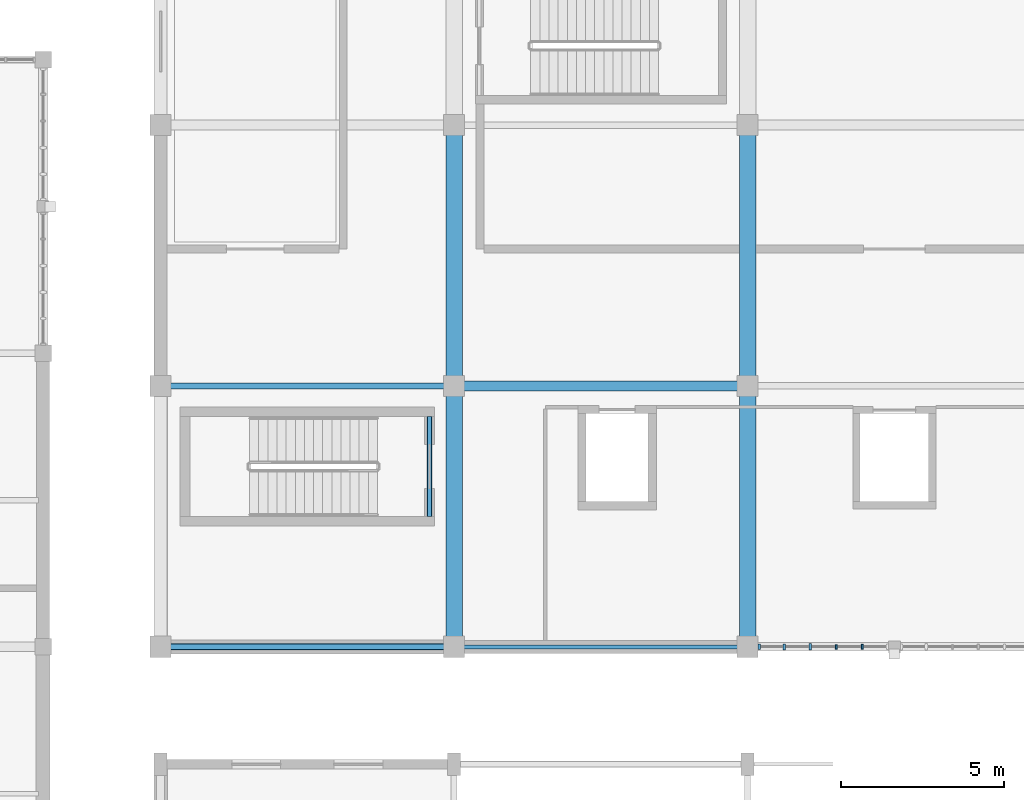
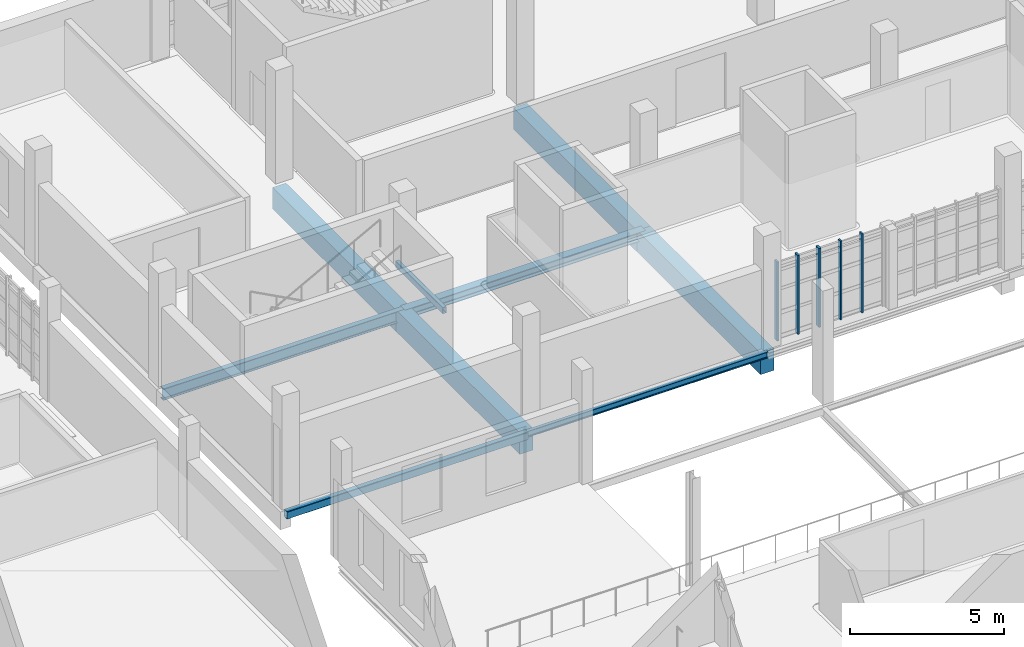
# One storey, part 19 of 125: 9 beams, 5 members, 1 element without a shape of its own.
"""IFC4 building model written with IfcOpenShell, lengths in metres."""

from ifc_helpers import new_model, si_unit, direction, frame, origin, origin_2d, place, context, subcontext, project, spatial, rectangle, hollow_rectangle, i_section, extrude, material, material_profile, profile_set, type_object, element, aggregate, save


model = new_model("IFC4")

# Units and contexts
model_context = context("Model", 3, precision=1e-05, world=origin(), true_north=direction((0.0, 1.0)))
body_context = subcontext(model_context, "Body", "Model", "MODEL_VIEW")
ifc_project = project(units=[si_unit("LENGTHUNIT", "METRE"), si_unit("AREAUNIT", "SQUARE_METRE"), si_unit("VOLUMEUNIT", "CUBIC_METRE"), si_unit("PLANEANGLEUNIT", "RADIAN"), si_unit("MASSUNIT", "GRAM", prefix="KILO")], contexts=[model_context])

# Site, building, storey
site_placement = place(None, origin())
site = spatial("IfcSite", under=ifc_project, at=site_placement, CompositionType="ELEMENT")
building_placement = place(site_placement, origin())
building = spatial("IfcBuilding", under=site, at=building_placement, Name="Serraforn Aerial Cableway Station", CompositionType="ELEMENT")
storey_placement = place(building_placement, frame((0.0, 0.0, 4.5)))
storey = spatial("IfcBuildingStorey", under=building, at=storey_placement, Name="L01", CompositionType="ELEMENT", Elevation=4.5)

# Beams
ifc_material_1 = material(Name="Concrete C35/45", Category="concrete")
ifc_material_profile_1 = material_profile(ifc_material_1, rectangle(XDim=0.5, YDim=0.85009765625, at=origin_2d()), Name="RC 500x850")
ifc_profile_set_1 = profile_set([ifc_material_profile_1], Name="Concrete C35/45")
beam_type_1 = type_object("IfcBeamType", Name="BM-RC-500x850", PredefinedType="USERDEFINED", material=ifc_profile_set_1)
for number, where, z_axis, x_axis, name in (
    (1, (36.60009765625, 18.0, -0.7451171875), (0.0, 1.0, 0.0), (-1.0, 0.0, 0.0), "Grid Girder Y CV L01 X2-1"),
    (2, (36.60009765625, 26.0, -0.7451171875), (0.0, 1.0, 0.0), (-1.0, 0.0, 0.0), "Grid Girder Y CV L01 X2-2"),
    (3, (45.60009765625, 18.0, -0.7451171875), (0.0, 1.0, 0.0), (-1.0, 0.0, 0.0), "Grid Girder Y CV L01 X3-1"),
    (4, (45.60009765625, 26.0, -0.7451171875), (0.0, 1.0, 0.0), (-1.0, 0.0, 0.0), "Grid Girder Y CV L01 X3-2"),
):
    element("IfcBeam", number, at=place(storey_placement, frame(where, z_axis=z_axis, x_axis=x_axis)), inside=storey, type_object=beam_type_1, Name=name, ObjectType="GIRDER", PredefinedType="USERDEFINED", context=body_context, shape_type="SweptSolid", body=[
        extrude(rectangle(XDim=0.5, YDim=0.85009765625, at=origin_2d()), origin(), (0.0, 0.0, 1.0), 8.0),
    ])
ifc_material_2 = material(Name="Steel S355J2", Category="steel")
ifc_material_profile_2 = material_profile(ifc_material_2, i_section(OverallWidth=0.300048828125, OverallDepth=0.360107421875, WebThickness=0.012451171875, FlangeThickness=0.0224609375, FilletRadius=0.027099609375, at=origin_2d()), Name="HEB 360")
ifc_profile_set_2 = profile_set([ifc_material_profile_2], Name="Steel S355J2")
beam_type_2 = type_object("IfcBeamType", Name="BM-ST-HEB360", PredefinedType="USERDEFINED", material=ifc_profile_set_2)
beam_1_placement = place(storey_placement, frame((36.60009765625, 26.0, -0.5), z_axis=(1.0, 0.0, 0.0), x_axis=(0.0, 1.0, 0.0)))
element("IfcBeam", 5, at=beam_1_placement, inside=storey, type_object=beam_type_2, Name="Grid Girder X CV L01 Y2-2", ObjectType="GIRDER", PredefinedType="USERDEFINED", context=body_context, shape_type="SweptSolid", body=[
    extrude(i_section(OverallWidth=0.300048828125, OverallDepth=0.360107421875, WebThickness=0.012451171875, FlangeThickness=0.0224609375, FilletRadius=0.027099609375, at=origin_2d()), origin(), (0.0, 0.0, 1.0), 9.0),
])
ifc_material_3 = material(Name="Steel S355JR", Category="steel")
ifc_material_profile_3 = material_profile(ifc_material_3, i_section(OverallWidth=0.1201171875, OverallDepth=0.239990234375, WebThickness=0.006103515625, FlangeThickness=0.009765625, FilletRadius=0.014892578125, at=origin_2d()), Name="IPE 240")
ifc_profile_set_3 = profile_set([ifc_material_profile_3], Name="Steel S355JR")
beam_type_3 = type_object("IfcBeamType", Name="BM-ST-IPE240", PredefinedType="SPANDREL", material=ifc_profile_set_3)
beam_2_placement = place(storey_placement, frame((36.60009765625, 18.0, -0.43994140625), z_axis=(1.0, 0.0, 0.0), x_axis=(0.0, 1.0, 0.0)))
element("IfcBeam", 6, at=beam_2_placement, inside=storey, type_object=beam_type_3, Name="Grid Girder X CV L01 Y1-2", PredefinedType="SPANDREL", context=body_context, shape_type="SweptSolid", body=[
    extrude(i_section(OverallWidth=0.1201171875, OverallDepth=0.239990234375, WebThickness=0.006103515625, FlangeThickness=0.009765625, FilletRadius=0.014892578125, at=origin_2d()), origin(), (0.0, 0.0, 1.0), 9.0),
])
ifc_material_profile_4 = material_profile(ifc_material_3, i_section(OverallWidth=0.18994140625, OverallDepth=0.449951171875, WebThickness=0.009521484375, FlangeThickness=0.0146484375, FilletRadius=0.02099609375, at=origin_2d()), Name="IPE 450")
ifc_profile_set_4 = profile_set([ifc_material_profile_4], Name="Steel S355JR")
beam_type_4 = type_object("IfcBeamType", Name="BM-ST-IPE450", PredefinedType="BEAM", material=ifc_profile_set_4)
beam_3_placement = place(storey_placement, frame((27.60009765625, 26.0, -0.544921875), z_axis=(1.0, 0.0, 0.0), x_axis=(0.0, 1.0, 0.0)))
element("IfcBeam", 7, at=beam_3_placement, inside=storey, type_object=beam_type_4, Name="Grid Girder X CV L01 Y2-1", PredefinedType="BEAM", context=body_context, shape_type="SweptSolid", body=[
    extrude(i_section(OverallWidth=0.18994140625, OverallDepth=0.449951171875, WebThickness=0.009521484375, FlangeThickness=0.0146484375, FilletRadius=0.02099609375, at=origin_2d()), origin(), (0.0, 0.0, 1.0), 9.0),
])
ifc_material_profile_5 = material_profile(ifc_material_2, hollow_rectangle(XDim=0.14990234375, YDim=0.25, WallThickness=0.010009765625, InnerFilletRadius=0.010009765625, OuterFilletRadius=0.02001953125, at=origin_2d()), Name="RHS 250x150x10.0")
ifc_profile_set_5 = profile_set([ifc_material_profile_5], Name="Steel S355J2")
beam_type_5 = type_object("IfcBeamType", Name="BM-ST-RHS250", PredefinedType="LINTEL", material=ifc_profile_set_5)
beam_4_placement = place(storey_placement, frame((35.85009765625, 25.06005859375, 2.27490234375), z_axis=(0.0, -1.0, 0.0), x_axis=(1.0, 0.0, 0.0)))
element("IfcBeam", 8, at=beam_4_placement, inside=storey, type_object=beam_type_5, Name="Stair Core Door Lintel D-S14", PredefinedType="LINTEL", context=body_context, shape_type="SweptSolid", body=[
    extrude(hollow_rectangle(XDim=0.14990234375, YDim=0.25, WallThickness=0.010009765625, InnerFilletRadius=0.010009765625, OuterFilletRadius=0.02001953125, at=origin_2d()), origin(), (0.0, 0.0, 1.0), 3.06005859375),
])
ifc_material_profile_6 = material_profile(ifc_material_2, hollow_rectangle(XDim=0.199951171875, YDim=0.300048828125, WallThickness=0.012451171875, InnerFilletRadius=0.012451171875, OuterFilletRadius=0.02490234375, at=origin_2d()), Name="RHS 300x200x12.5")
ifc_profile_set_6 = profile_set([ifc_material_profile_6], Name="Steel S355J2")
beam_type_6 = type_object("IfcBeamType", Name="BM-ST-RHS300", PredefinedType="SPANDREL", material=ifc_profile_set_6)
beam_5_placement = place(storey_placement, frame((27.60009765625, 18.0, -0.469970703125), z_axis=(1.0, 0.0, 0.0), x_axis=(0.0, 1.0, 0.0)))
element("IfcBeam", 9, at=beam_5_placement, inside=storey, type_object=beam_type_6, Name="Grid Girder X CV L01 Y1-1", PredefinedType="SPANDREL", context=body_context, shape_type="SweptSolid", body=[
    extrude(hollow_rectangle(XDim=0.199951171875, YDim=0.300048828125, WallThickness=0.012451171875, InnerFilletRadius=0.012451171875, OuterFilletRadius=0.02490234375, at=origin_2d()), origin(), (0.0, 0.0, 1.0), 9.0),
])

# Curtain wall, members
ifc_material_4 = material(Name="Anodised bronze unitised curtain wall")
curtain_wall_type = type_object("IfcCurtainWallType", Name="CW-SYS-21", PredefinedType="USERDEFINED", material=ifc_material_4)
curtain_wall_placement = place(storey_placement, origin())
curtain_wall = element("IfcCurtainWall", 10, at=curtain_wall_placement, inside=storey, type_object=curtain_wall_type, Name="Unitised Curtain Wall CW-CV-L01-S3A", ObjectType="UNITISED CURTAIN WALL", PredefinedType="USERDEFINED")
ifc_material_5 = material(Name="Anodised bronze extruded aluminium", Category="aluminium")
ifc_material_profile_7 = material_profile(ifc_material_5, rectangle(XDim=0.054931640625, YDim=0.139892578125, at=origin_2d()), Name="CW MULLION 55x140")
ifc_profile_set_7 = profile_set([ifc_material_profile_7], Name="Anodised bronze extruded aluminium")
member_type_1 = type_object("IfcMemberType", Name="CW-MUL-1", PredefinedType="MULLION", material=ifc_profile_set_7)
member_1_placement = place(storey_placement, frame((48.3212890625, 18.0, 0.0), z_axis=(0.0, 0.0, 1.0), x_axis=(1.0, 0.0, 0.0)))
member_1 = element("IfcMember", 11, at=member_1_placement, type_object=member_type_1, Name="Curtain Wall Mullion CW-CV-L01-S3A-M4", PredefinedType="MULLION", context=body_context, shape_type="SweptSolid", body=[
    extrude(rectangle(XDim=0.054931640625, YDim=0.139892578125, at=origin_2d()), origin(), (0.0, 0.0, 1.0), 3.1201171875),
])
ifc_material_profile_8 = material_profile(ifc_material_5, rectangle(XDim=0.06005859375, YDim=0.159912109375, at=origin_2d()), Name="CW MULLION 60x160")
ifc_profile_set_8 = profile_set([ifc_material_profile_8], Name="Anodised bronze extruded aluminium")
member_type_2 = type_object("IfcMemberType", Name="CW-MUL-2", PredefinedType="MULLION", material=ifc_profile_set_8)
member_2_placement = place(storey_placement, frame((49.12060546875, 18.0, 0.0), z_axis=(0.0, 0.0, 1.0), x_axis=(1.0, 0.0, 0.0)))
member_2 = element("IfcMember", 12, at=member_2_placement, type_object=member_type_2, Name="Curtain Wall Mullion CW-CV-L01-S3A-M5", PredefinedType="MULLION", context=body_context, shape_type="SweptSolid", body=[
    extrude(rectangle(XDim=0.06005859375, YDim=0.159912109375, at=origin_2d()), origin(), (0.0, 0.0, 1.0), 3.1201171875),
])
ifc_material_profile_9 = material_profile(ifc_material_5, rectangle(XDim=0.06494140625, YDim=0.175048828125, at=origin_2d()), Name="CW MULLION 65x175")
ifc_profile_set_9 = profile_set([ifc_material_profile_9], Name="Anodised bronze extruded aluminium")
member_type_3 = type_object("IfcMemberType", Name="CW-MUL-3", PredefinedType="MULLION", material=ifc_profile_set_9)
member_3_placement = place(storey_placement, frame((45.95556640625, 18.0, 0.0), z_axis=(0.0, 0.0, 1.0), x_axis=(1.0, 0.0, 0.0)))
member_3 = element("IfcMember", 13, at=member_3_placement, type_object=member_type_3, Name="Curtain Wall Mullion CW-CV-L01-S3A-M1", PredefinedType="MULLION", context=body_context, shape_type="SweptSolid", body=[
    extrude(rectangle(XDim=0.06494140625, YDim=0.175048828125, at=origin_2d()), origin(), (0.0, 0.0, 1.0), 3.1201171875),
])
ifc_material_profile_10 = material_profile(ifc_material_5, rectangle(XDim=0.070068359375, YDim=0.18994140625, at=origin_2d()), Name="CW MULLION 70x190")
ifc_profile_set_10 = profile_set([ifc_material_profile_10], Name="Anodised bronze extruded aluminium")
member_type_4 = type_object("IfcMemberType", Name="CW-MUL-4", PredefinedType="MULLION", material=ifc_profile_set_10)
member_4_placement = place(storey_placement, frame((46.722412109375, 18.0, 0.0), z_axis=(0.0, 0.0, 1.0), x_axis=(1.0, 0.0, 0.0)))
member_4 = element("IfcMember", 14, at=member_4_placement, type_object=member_type_4, Name="Curtain Wall Mullion CW-CV-L01-S3A-M2", PredefinedType="MULLION", context=body_context, shape_type="SweptSolid", body=[
    extrude(rectangle(XDim=0.070068359375, YDim=0.18994140625, at=origin_2d()), origin(), (0.0, 0.0, 1.0), 3.1201171875),
])
ifc_material_profile_11 = material_profile(ifc_material_5, rectangle(XDim=0.074951171875, YDim=0.199951171875, at=origin_2d()), Name="CW MULLION 75x200")
ifc_profile_set_11 = profile_set([ifc_material_profile_11], Name="Anodised bronze extruded aluminium")
member_type_5 = type_object("IfcMemberType", Name="CW-MUL-5", PredefinedType="MULLION", material=ifc_profile_set_11)
member_5_placement = place(storey_placement, frame((47.521728515625, 18.0, 0.0), z_axis=(0.0, 0.0, 1.0), x_axis=(1.0, 0.0, 0.0)))
member_5 = element("IfcMember", 15, at=member_5_placement, type_object=member_type_5, Name="Curtain Wall Mullion CW-CV-L01-S3A-M3", PredefinedType="MULLION", context=body_context, shape_type="SweptSolid", body=[
    extrude(rectangle(XDim=0.074951171875, YDim=0.199951171875, at=origin_2d()), origin(), (0.0, 0.0, 1.0), 3.1201171875),
])
aggregate(curtain_wall, [member_3, member_4, member_5, member_1, member_2])

save(model, "model.ifc")
